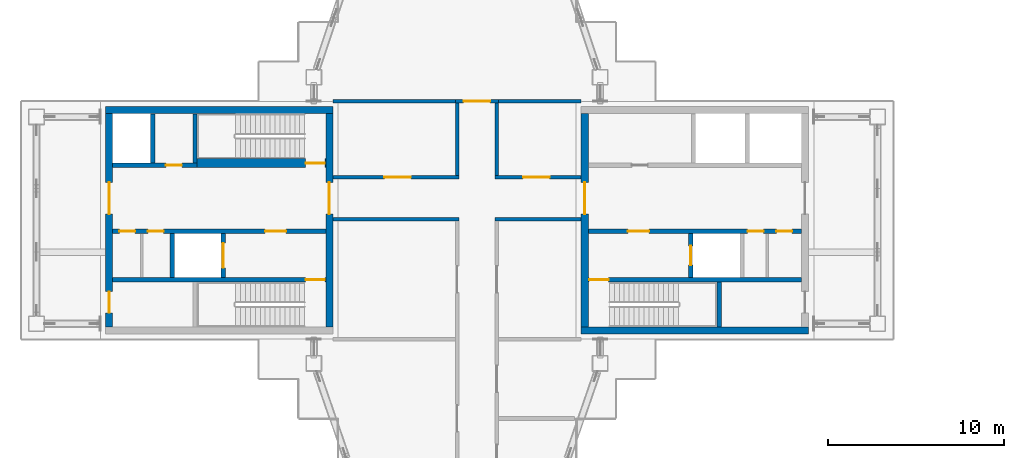
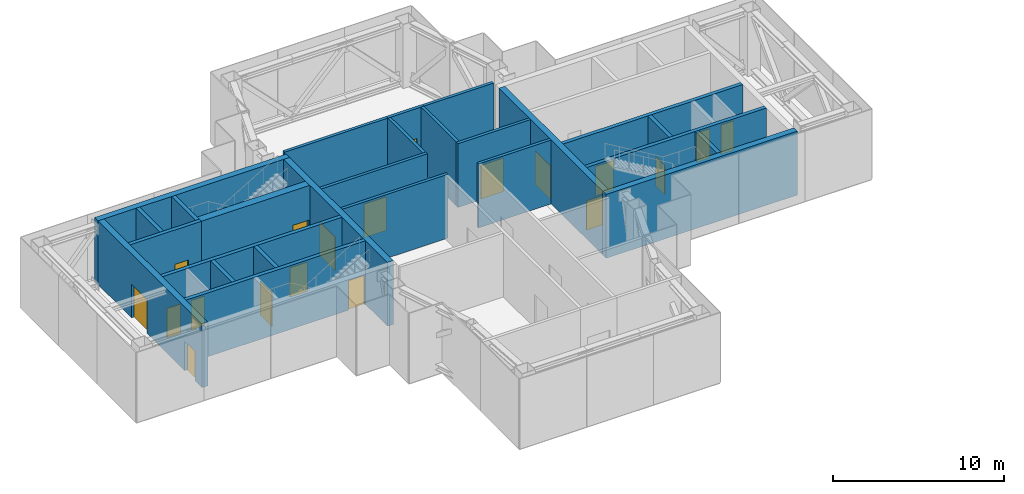
# One storey, part 7 of 18: 26 walls, 19 doors, 19 openings.
"""IFC4 building model written with IfcOpenShell, lengths in metres."""

from ifc_helpers import new_model, si_unit, direction, frame, frame_2d, origin, place, context, subcontext, project, spatial, rectangle, extrude, material, layer, layer_set, type_object, element, fill, save


model = new_model("IFC4")

# Units and contexts
model_context = context("Model", 3, precision=1e-05, world=origin(), true_north=direction((0.0, 1.0)))
body_context = subcontext(model_context, "Body", "Model", "MODEL_VIEW")
ifc_project = project(units=[si_unit("LENGTHUNIT", "METRE"), si_unit("AREAUNIT", "SQUARE_METRE"), si_unit("VOLUMEUNIT", "CUBIC_METRE"), si_unit("PLANEANGLEUNIT", "RADIAN"), si_unit("MASSUNIT", "GRAM", prefix="KILO")], contexts=[model_context])

# Site, building, storey
site_placement = place(None, origin())
site = spatial("IfcSite", under=ifc_project, at=site_placement, CompositionType="ELEMENT")
building_placement = place(site_placement, origin())
building = spatial("IfcBuilding", under=site, at=building_placement, Name="Shamsa Quay Exchange Towers", CompositionType="ELEMENT")
storey_placement = place(building_placement, frame((0.0, 0.0, 273.300048828125)))
storey = spatial("IfcBuildingStorey", under=building, at=storey_placement, Name="L66", CompositionType="ELEMENT", Elevation=273.300048828125)

# Wall
ifc_material_1 = material(Name="Concrete C60/75", Category="concrete")
ifc_layer_1 = layer(ifc_material_1, 0.39990234375)
ifc_layer_set_1 = layer_set([ifc_layer_1], Name="CORE WALL 400 C60/75")
wall_type_1 = type_object("IfcWallType", Name="CORE WALL 400 C60/75", PredefinedType="SHEAR", material=ifc_layer_set_1)
wall_1_placement = place(storey_placement, frame((-26.699951171875, -6.25, 0.0)))
element("IfcWall", 1, at=wall_1_placement, inside=storey, type_object=wall_type_1, Name="Core wall T1A-L66-PS", PredefinedType="SHEAR", context=body_context, shape_type="SweptSolid", body=[
    extrude(rectangle(XDim=12.89990234375, YDim=0.39990234375, at=frame_2d((6.449951171875, 0.0))), origin(), (0.0, 0.0, 1.0), 4.550048828125),
])

# Wall, opening, door
wall_2_placement = place(storey_placement, frame((-26.5, 6.050048828125, 0.0), z_axis=(0.0, 0.0, 1.0), x_axis=(0.0, -1.0, 0.0)))
wall_2 = element("IfcWall", 2, at=wall_2_placement, inside=storey, type_object=wall_type_1, Name="Core wall T1A-L66-PF", PredefinedType="SHEAR", context=body_context, shape_type="SweptSolid", body=[
    extrude(rectangle(XDim=12.10009765625, YDim=0.39990234375, at=frame_2d((6.050048828125, 0.0))), origin(), (0.0, 0.0, 1.0), 4.550048828125),
])
opening_1_placement = place(wall_2_placement, frame((3.89990234375, 0.0, 0.0)))
opening_1 = element("IfcOpeningElement", 3, at=opening_1_placement, cuts=wall_2, Name="Opening T1A-L66-LBD01", PredefinedType="OPENING", context=body_context, shape_type="SweptSolid", body=[
    extrude(rectangle(XDim=1.800048828125, YDim=2.39990234375, at=frame_2d((0.89990234375, 1.199951171875))), frame((0.0, 0.2099609375, 0.0), z_axis=(0.0, -1.0, 0.0), x_axis=(1.0, 0.0, 0.0)), (0.0, 0.0, 1.0), 0.419921875),
])
ifc_material_2 = material(Name="Steel, fire rated", Category="steel")
door_type_1 = type_object("IfcDoorType", Name="LIFT LOBBY DOOR PAIR 1800", OperationType="DOUBLE_DOOR_SINGLE_SWING", PredefinedType="DOOR", material=ifc_material_2)
door_1_placement = place(opening_1_placement, origin())
door_1 = element("IfcDoor", 4, at=door_1_placement, inside=storey, type_object=door_type_1, Name="T1A-L66-LBD01", OperationType="DOUBLE_DOOR_SINGLE_SWING", OverallHeight=2.39990234375, OverallWidth=1.800048828125, PredefinedType="DOOR", context=body_context, shape_type="SweptSolid", body=[
    extrude(rectangle(XDim=1.800048828125, YDim=2.39990234375, at=frame_2d((0.89990234375, 1.199951171875))), frame((0.0, 0.02490234375, 0.0), z_axis=(0.0, -1.0, 0.0), x_axis=(1.0, 0.0, 0.0)), (0.0, 0.0, 1.0), 0.050048828125),
])
fill(opening_1, door_1)

# Wall
wall_3_placement = place(storey_placement, frame((-40.800048828125, 6.25, 0.0), z_axis=(0.0, 0.0, 1.0), x_axis=(-1.0, 0.0, 0.0)))
element("IfcWall", 5, at=wall_3_placement, inside=storey, type_object=wall_type_1, Name="Core wall T1B-L66-PN", PredefinedType="SHEAR", context=body_context, shape_type="SweptSolid", body=[
    extrude(rectangle(XDim=12.89990234375, YDim=0.39990234375, at=frame_2d((6.449951171875, 0.0))), origin(), (0.0, 0.0, 1.0), 4.550048828125),
])

# Wall, opening, door
wall_4_placement = place(storey_placement, frame((-41.0, -6.050048828125, 0.0), z_axis=(0.0, 0.0, 1.0), x_axis=(0.0, 1.0, 0.0)))
wall_4 = element("IfcWall", 6, at=wall_4_placement, inside=storey, type_object=wall_type_1, Name="Core wall T1B-L66-PF", PredefinedType="SHEAR", context=body_context, shape_type="SweptSolid", body=[
    extrude(rectangle(XDim=12.10009765625, YDim=0.39990234375, at=frame_2d((6.050048828125, 0.0))), origin(), (0.0, 0.0, 1.0), 4.550048828125),
])
opening_2_placement = place(wall_4_placement, frame((6.39990234375, 0.0, 0.0)))
opening_2 = element("IfcOpeningElement", 7, at=opening_2_placement, cuts=wall_4, Name="Opening T1B-L66-LBD01", PredefinedType="OPENING", context=body_context, shape_type="SweptSolid", body=[
    extrude(rectangle(XDim=1.800048828125, YDim=2.39990234375, at=frame_2d((0.89990234375, 1.199951171875))), frame((0.0, 0.2099609375, 0.0), z_axis=(0.0, -1.0, 0.0), x_axis=(1.0, 0.0, 0.0)), (0.0, 0.0, 1.0), 0.419921875),
])
door_2_placement = place(opening_2_placement, origin())
door_2 = element("IfcDoor", 8, at=door_2_placement, inside=storey, type_object=door_type_1, Name="T1B-L66-LBD01", OperationType="DOUBLE_DOOR_SINGLE_SWING", OverallHeight=2.39990234375, OverallWidth=1.800048828125, PredefinedType="DOOR", context=body_context, shape_type="SweptSolid", body=[
    extrude(rectangle(XDim=1.800048828125, YDim=2.39990234375, at=frame_2d((0.89990234375, 1.199951171875))), frame((0.0, 0.02490234375, 0.0), z_axis=(0.0, -1.0, 0.0), x_axis=(1.0, 0.0, 0.0)), (0.0, 0.0, 1.0), 0.050048828125),
])
fill(opening_2, door_2)

# Wall, openings, doors
wall_5_placement = place(storey_placement, frame((-53.5, -6.050048828125, 0.0), z_axis=(0.0, 0.0, 1.0), x_axis=(0.0, 1.0, 0.0)))
wall_5 = element("IfcWall", 9, at=wall_5_placement, inside=storey, type_object=wall_type_1, Name="Core wall T1B-L66-PB", PredefinedType="SHEAR", context=body_context, shape_type="SweptSolid", body=[
    extrude(rectangle(XDim=12.10009765625, YDim=0.39990234375, at=frame_2d((6.050048828125, 0.0))), origin(), (0.0, 0.0, 1.0), 4.550048828125),
])
opening_3_placement = place(wall_5_placement, frame((0.800048828125, 0.0, 0.0)))
opening_3 = element("IfcOpeningElement", 10, at=opening_3_placement, cuts=wall_5, Name="Opening T1B-L66-RD02", PredefinedType="OPENING", context=body_context, shape_type="SweptSolid", body=[
    extrude(rectangle(XDim=1.199951171875, YDim=2.10009765625, at=frame_2d((0.60009765625, 1.050048828125))), frame((0.0, 0.2099609375, 0.0), z_axis=(0.0, -1.0, 0.0), x_axis=(1.0, 0.0, 0.0)), (0.0, 0.0, 1.0), 0.419921875),
])
opening_4_placement = place(wall_5_placement, frame((6.39990234375, 0.0, 0.0)))
opening_4 = element("IfcOpeningElement", 11, at=opening_4_placement, cuts=wall_5, Name="Opening T1B-L66-LBD03", PredefinedType="OPENING", context=body_context, shape_type="SweptSolid", body=[
    extrude(rectangle(XDim=1.800048828125, YDim=2.39990234375, at=frame_2d((0.89990234375, 1.199951171875))), frame((0.0, 0.2099609375, 0.0), z_axis=(0.0, -1.0, 0.0), x_axis=(1.0, 0.0, 0.0)), (0.0, 0.0, 1.0), 0.419921875),
])
door_3_placement = place(opening_4_placement, origin())
door_3 = element("IfcDoor", 12, at=door_3_placement, inside=storey, type_object=door_type_1, Name="T1B-L66-LBD03", OperationType="DOUBLE_DOOR_SINGLE_SWING", OverallHeight=2.39990234375, OverallWidth=1.800048828125, PredefinedType="DOOR", context=body_context, shape_type="SweptSolid", body=[
    extrude(rectangle(XDim=1.800048828125, YDim=2.39990234375, at=frame_2d((0.89990234375, 1.199951171875))), frame((0.0, 0.02490234375, 0.0), z_axis=(0.0, -1.0, 0.0), x_axis=(1.0, 0.0, 0.0)), (0.0, 0.0, 1.0), 0.050048828125),
])
fill(opening_4, door_3)
door_type_2 = type_object("IfcDoorType", Name="RISER ACCESS DOOR 1200", OperationType="SINGLE_SWING_LEFT", PredefinedType="DOOR", material=ifc_material_2)
door_4_placement = place(opening_3_placement, origin())
door_4 = element("IfcDoor", 13, at=door_4_placement, inside=storey, type_object=door_type_2, Name="T1B-L66-RD02", OperationType="SINGLE_SWING_LEFT", OverallHeight=2.10009765625, OverallWidth=1.199951171875, PredefinedType="DOOR", context=body_context, shape_type="SweptSolid", body=[
    extrude(rectangle(XDim=1.199951171875, YDim=2.10009765625, at=frame_2d((0.60009765625, 1.050048828125))), frame((0.0, 0.02490234375, 0.0), z_axis=(0.0, -1.0, 0.0), x_axis=(1.0, 0.0, 0.0)), (0.0, 0.0, 1.0), 0.050048828125),
])
fill(opening_3, door_4)

# Wall
ifc_material_3 = material(Name="Gypsum board partition on metal studs")
ifc_layer_2 = layer(ifc_material_3, 0.199951171875)
ifc_layer_set_2 = layer_set([ifc_layer_2], Name="Partition 200 mm EI 120")
wall_type_2 = type_object("IfcWallType", Name="Partition 200 mm EI 120", PredefinedType="PARTITIONING", material=ifc_layer_set_2)
wall_6_placement = place(storey_placement, frame((-31.5, 6.64990234375, 0.0), z_axis=(0.0, 0.0, 1.0), x_axis=(0.0, -1.0, 0.0)))
element("IfcWall", 14, at=wall_6_placement, inside=storey, type_object=wall_type_2, Name="Partition T1-L66-W01", PredefinedType="PARTITIONING", context=body_context, shape_type="SweptSolid", body=[
    extrude(rectangle(XDim=4.099609375, YDim=0.199951171875, at=frame_2d((2.0498046875, 0.0))), origin(), (0.0, 0.0, 1.0), 4.550048828125),
])

# Wall, opening, door
wall_7_placement = place(storey_placement, frame((-40.800048828125, 2.4501953125, 0.0)))
wall_7 = element("IfcWall", 15, at=wall_7_placement, inside=storey, type_object=wall_type_2, Name="Partition T1-L66-W03", PredefinedType="PARTITIONING", context=body_context, shape_type="SweptSolid", body=[
    extrude(rectangle(XDim=7.150146484375, YDim=0.199951171875, at=frame_2d((3.5751953125, 0.0))), origin(), (0.0, 0.0, 1.0), 4.550048828125),
])
opening_5_placement = place(wall_7_placement, frame((2.925048828125, 0.0, 0.0)))
opening_5 = element("IfcOpeningElement", 16, at=opening_5_placement, cuts=wall_7, Name="Opening T1-L66-D01", PredefinedType="OPENING", context=body_context, shape_type="SweptSolid", body=[
    extrude(rectangle(XDim=1.5, YDim=2.39990234375, at=frame_2d((0.75, 1.199951171875))), frame((0.0, 0.10986328125, 0.0), z_axis=(0.0, -1.0, 0.0), x_axis=(1.0, 0.0, 0.0)), (0.0, 0.0, 1.0), 0.219970703125),
])
ifc_material_4 = material(Name="Timber door leaf in a metal frame", Category="wood")
door_type_3 = type_object("IfcDoorType", Name="Door 1500x2400 FD60 pair", OperationType="NOTDEFINED", PredefinedType="DOOR", material=ifc_material_4)
door_5_placement = place(opening_5_placement, origin())
door_5 = element("IfcDoor", 17, at=door_5_placement, inside=storey, type_object=door_type_3, Name="Door T1-L66-D01", OperationType="DOUBLE_DOOR_SINGLE_SWING", OverallHeight=2.39990234375, OverallWidth=1.5, PredefinedType="DOOR", context=body_context, shape_type="SweptSolid", body=[
    extrude(rectangle(XDim=1.5, YDim=2.39990234375, at=frame_2d((0.75, 1.199951171875))), frame((0.0, 0.02490234375, 0.0), z_axis=(0.0, -1.0, 0.0), x_axis=(1.0, 0.0, 0.0)), (0.0, 0.0, 1.0), 0.050048828125),
])
fill(opening_5, door_5)

wall_8_placement = place(storey_placement, frame((-31.60009765625, 2.4501953125, 0.0)))
wall_8 = element("IfcWall", 18, at=wall_8_placement, inside=storey, type_object=wall_type_2, Name="Partition T1-L66-W04", PredefinedType="PARTITIONING", context=body_context, shape_type="SweptSolid", body=[
    extrude(rectangle(XDim=4.900146484375, YDim=0.199951171875, at=frame_2d((2.4501953125, 0.0))), origin(), (0.0, 0.0, 1.0), 4.550048828125),
])
opening_6_placement = place(wall_8_placement, frame((1.60009765625, 0.0, 0.0)))
opening_6 = element("IfcOpeningElement", 19, at=opening_6_placement, cuts=wall_8, Name="Opening T1-L66-D09", PredefinedType="OPENING", context=body_context, shape_type="SweptSolid", body=[
    extrude(rectangle(XDim=1.5, YDim=2.39990234375, at=frame_2d((0.75, 1.199951171875))), frame((0.0, 0.10986328125, 0.0), z_axis=(0.0, -1.0, 0.0), x_axis=(1.0, 0.0, 0.0)), (0.0, 0.0, 1.0), 0.219970703125),
])
door_6_placement = place(opening_6_placement, origin())
door_6 = element("IfcDoor", 20, at=door_6_placement, inside=storey, type_object=door_type_3, Name="Door T1-L66-D09", OperationType="DOUBLE_DOOR_SINGLE_SWING", OverallHeight=2.39990234375, OverallWidth=1.5, PredefinedType="DOOR", context=body_context, shape_type="SweptSolid", body=[
    extrude(rectangle(XDim=1.5, YDim=2.39990234375, at=frame_2d((0.75, 1.199951171875))), frame((0.0, 0.02490234375, 0.0), z_axis=(0.0, -1.0, 0.0), x_axis=(1.0, 0.0, 0.0)), (0.0, 0.0, 1.0), 0.050048828125),
])
fill(opening_6, door_6)

# Walls
wall_9_placement = place(storey_placement, frame((-26.699951171875, 0.0498046875, 0.0), z_axis=(0.0, 0.0, 1.0), x_axis=(-1.0, 0.0, 0.0)))
element("IfcWall", 21, at=wall_9_placement, inside=storey, type_object=wall_type_2, Name="Partition T1-L66-W05", PredefinedType="PARTITIONING", context=body_context, shape_type="SweptSolid", body=[
    extrude(rectangle(XDim=4.900146484375, YDim=0.199951171875, at=frame_2d((2.4501953125, 0.0))), origin(), (0.0, 0.0, 1.0), 4.550048828125),
])
wall_10_placement = place(storey_placement, frame((-33.64990234375, 0.0498046875, 0.0), z_axis=(0.0, 0.0, 1.0), x_axis=(-1.0, 0.0, 0.0)))
element("IfcWall", 22, at=wall_10_placement, inside=storey, type_object=wall_type_2, Name="Partition T1-L66-W06", PredefinedType="PARTITIONING", context=body_context, shape_type="SweptSolid", body=[
    extrude(rectangle(XDim=7.150146484375, YDim=0.199951171875, at=frame_2d((3.5751953125, 0.0))), origin(), (0.0, 0.0, 1.0), 4.550048828125),
])
wall_11_placement = place(storey_placement, frame((-33.75, 2.55029296875, 0.0), z_axis=(0.0, 0.0, 1.0), x_axis=(0.0, 1.0, 0.0)))
element("IfcWall", 23, at=wall_11_placement, inside=storey, type_object=wall_type_2, Name="Partition T1-L66-W08", PredefinedType="PARTITIONING", context=body_context, shape_type="SweptSolid", body=[
    extrude(rectangle(XDim=4.099609375, YDim=0.199951171875, at=frame_2d((2.0498046875, 0.0))), origin(), (0.0, 0.0, 1.0), 4.550048828125),
])

# Wall, opening, door
wall_12_placement = place(storey_placement, frame((-33.85009765625, 6.75, 0.0)))
wall_12 = element("IfcWall", 24, at=wall_12_placement, inside=storey, type_object=wall_type_2, Name="Partition T1-L66-W09", PredefinedType="PARTITIONING", context=body_context, shape_type="SweptSolid", body=[
    extrude(rectangle(XDim=2.4501953125, YDim=0.199951171875, at=frame_2d((1.22509765625, 0.0))), origin(), (0.0, 0.0, 1.0), 4.550048828125),
])
opening_7_placement = place(wall_12_placement, frame((0.47509765625, 0.0, 0.0)))
opening_7 = element("IfcOpeningElement", 25, at=opening_7_placement, cuts=wall_12, Name="Opening T1-L66-D04", PredefinedType="OPENING", context=body_context, shape_type="SweptSolid", body=[
    extrude(rectangle(XDim=1.5, YDim=2.39990234375, at=frame_2d((0.75, 1.199951171875))), frame((0.0, 0.10986328125, 0.0), z_axis=(0.0, -1.0, 0.0), x_axis=(1.0, 0.0, 0.0)), (0.0, 0.0, 1.0), 0.219970703125),
])
door_7_placement = place(opening_7_placement, origin())
door_7 = element("IfcDoor", 26, at=door_7_placement, inside=storey, type_object=door_type_3, Name="Door T1-L66-D04", OperationType="DOUBLE_DOOR_SINGLE_SWING", OverallHeight=2.39990234375, OverallWidth=1.5, PredefinedType="DOOR", context=body_context, shape_type="SweptSolid", body=[
    extrude(rectangle(XDim=1.5, YDim=2.39990234375, at=frame_2d((0.75, 1.199951171875))), frame((0.0, 0.02490234375, 0.0), z_axis=(0.0, -1.0, 0.0), x_axis=(1.0, 0.0, 0.0)), (0.0, 0.0, 1.0), 0.050048828125),
])
fill(opening_7, door_7)

# Walls
wall_13_placement = place(storey_placement, frame((-26.699951171875, 6.75, 0.0), z_axis=(0.0, 0.0, 1.0), x_axis=(-1.0, 0.0, 0.0)))
element("IfcWall", 27, at=wall_13_placement, inside=storey, type_object=wall_type_2, Name="Partition T1-L66-W11", PredefinedType="PARTITIONING", context=body_context, shape_type="SweptSolid", body=[
    extrude(rectangle(XDim=4.900146484375, YDim=0.199951171875, at=frame_2d((2.4501953125, 0.0))), origin(), (0.0, 0.0, 1.0), 4.550048828125),
])
wall_14_placement = place(storey_placement, frame((-33.64990234375, 6.75, 0.0), z_axis=(0.0, 0.0, 1.0), x_axis=(-1.0, 0.0, 0.0)))
element("IfcWall", 28, at=wall_14_placement, inside=storey, type_object=wall_type_2, Name="Partition T1-L66-W12", PredefinedType="PARTITIONING", context=body_context, shape_type="SweptSolid", body=[
    extrude(rectangle(XDim=7.150146484375, YDim=0.199951171875, at=frame_2d((3.5751953125, 0.0))), origin(), (0.0, 0.0, 1.0), 4.550048828125),
])

# Wall, opening, door
ifc_material_5 = material(Name="Concrete C50/60", Category="concrete")
ifc_layer_3 = layer(ifc_material_5, 0.25)
ifc_layer_set_3 = layer_set([ifc_layer_3], Name="SHAFT WALL 250 C50/60")
wall_type_3 = type_object("IfcWallType", Name="SHAFT WALL 250 C50/60", PredefinedType="SHEAR", material=ifc_layer_set_3)
wall_15_placement = place(storey_placement, frame((-14.199951171875, -3.375, 0.0), z_axis=(0.0, 0.0, 1.0), x_axis=(-1.0, 0.0, 0.0)))
wall_15 = element("IfcWall", 29, at=wall_15_placement, inside=storey, type_object=wall_type_3, Name="Shaft wall T1A-L66-STL", PredefinedType="SHEAR", context=body_context, shape_type="SweptSolid", body=[
    extrude(rectangle(XDim=12.10009765625, YDim=0.25, at=frame_2d((6.050048828125, 0.0))), origin(), (0.0, 0.0, 1.0), 4.550048828125),
])
opening_8_placement = place(wall_15_placement, frame((10.949951171875, 0.0, 0.0)))
opening_8 = element("IfcOpeningElement", 30, at=opening_8_placement, cuts=wall_15, Name="Opening T1A-L66-SD04", PredefinedType="OPENING", context=body_context, shape_type="SweptSolid", body=[
    extrude(rectangle(XDim=1.10009765625, YDim=2.10009765625, at=frame_2d((0.550048828125, 1.050048828125))), frame((0.0, 0.135009765625, 0.0), z_axis=(0.0, -1.0, 0.0), x_axis=(1.0, 0.0, 0.0)), (0.0, 0.0, 1.0), 0.27001953125),
])
door_type_4 = type_object("IfcDoorType", Name="STAIR DOOR 1100", OperationType="SINGLE_SWING_LEFT", PredefinedType="DOOR", material=ifc_material_2)
door_8_placement = place(opening_8_placement, origin())
door_8 = element("IfcDoor", 31, at=door_8_placement, inside=storey, type_object=door_type_4, Name="T1A-L66-SD04", OperationType="SINGLE_SWING_RIGHT", OverallHeight=2.10009765625, OverallWidth=1.10009765625, PredefinedType="DOOR", context=body_context, shape_type="SweptSolid", body=[
    extrude(rectangle(XDim=1.10009765625, YDim=2.10009765625, at=frame_2d((0.550048828125, 1.050048828125))), frame((0.0, 0.02490234375, 0.0), z_axis=(0.0, -1.0, 0.0), x_axis=(1.0, 0.0, 0.0)), (0.0, 0.0, 1.0), 0.050048828125),
])
fill(opening_8, door_8)

# Wall
wall_16_placement = place(storey_placement, frame((-18.875, -6.050048828125, 0.0), z_axis=(0.0, 0.0, 1.0), x_axis=(0.0, 1.0, 0.0)))
element("IfcWall", 32, at=wall_16_placement, inside=storey, type_object=wall_type_3, Name="Shaft wall T1A-L66-STF", PredefinedType="SHEAR", context=body_context, shape_type="SweptSolid", body=[
    extrude(rectangle(XDim=2.550048828125, YDim=0.25, at=frame_2d((1.27490234375, 0.0))), origin(), (0.0, 0.0, 1.0), 4.550048828125),
])

# Wall, openings, doors
wall_17_placement = place(storey_placement, frame((-14.199951171875, -0.625, 0.0), z_axis=(0.0, 0.0, 1.0), x_axis=(-1.0, 0.0, 0.0)))
wall_17 = element("IfcWall", 33, at=wall_17_placement, inside=storey, type_object=wall_type_3, Name="Shaft wall T1A-L66-B", PredefinedType="SHEAR", context=body_context, shape_type="SweptSolid", body=[
    extrude(rectangle(XDim=12.10009765625, YDim=0.25, at=frame_2d((6.050048828125, 0.0))), origin(), (0.0, 0.0, 1.0), 4.550048828125),
])
opening_9_placement = place(wall_17_placement, frame((8.64990234375, 0.0, 0.0)))
opening_9 = element("IfcOpeningElement", 34, at=opening_9_placement, cuts=wall_17, Name="Opening T1A-L66-FD05", PredefinedType="OPENING", context=body_context, shape_type="SweptSolid", body=[
    extrude(rectangle(XDim=1.199951171875, YDim=2.10009765625, at=frame_2d((0.60009765625, 1.050048828125))), frame((0.0, 0.135009765625, 0.0), z_axis=(0.0, -1.0, 0.0), x_axis=(1.0, 0.0, 0.0)), (0.0, 0.0, 1.0), 0.27001953125),
])
opening_10_placement = place(wall_17_placement, frame((2.14990234375, 0.0, 0.0)))
opening_10 = element("IfcOpeningElement", 35, at=opening_10_placement, cuts=wall_17, Name="Opening T1A-L66-SV06", PredefinedType="OPENING", context=body_context, shape_type="SweptSolid", body=[
    extrude(rectangle(XDim=0.89990234375, YDim=2.10009765625, at=frame_2d((0.449951171875, 1.050048828125))), frame((0.0, 0.135009765625, 0.0), z_axis=(0.0, -1.0, 0.0), x_axis=(1.0, 0.0, 0.0)), (0.0, 0.0, 1.0), 0.27001953125),
])
opening_11_placement = place(wall_17_placement, frame((0.52490234375, 0.0, 0.0)))
opening_11 = element("IfcOpeningElement", 36, at=opening_11_placement, cuts=wall_17, Name="Opening T1A-L66-SV07", PredefinedType="OPENING", context=body_context, shape_type="SweptSolid", body=[
    extrude(rectangle(XDim=0.89990234375, YDim=2.10009765625, at=frame_2d((0.449951171875, 1.050048828125))), frame((0.0, 0.135009765625, 0.0), z_axis=(0.0, -1.0, 0.0), x_axis=(1.0, 0.0, 0.0)), (0.0, 0.0, 1.0), 0.27001953125),
])
door_type_5 = type_object("IfcDoorType", Name="FIRE SERVICE LOBBY DOOR 1200", OperationType="SINGLE_SWING_LEFT", PredefinedType="DOOR", material=ifc_material_2)
door_9_placement = place(opening_9_placement, origin())
door_9 = element("IfcDoor", 37, at=door_9_placement, inside=storey, type_object=door_type_5, Name="T1A-L66-FD05", OperationType="SINGLE_SWING_RIGHT", OverallHeight=2.10009765625, OverallWidth=1.199951171875, PredefinedType="DOOR", context=body_context, shape_type="SweptSolid", body=[
    extrude(rectangle(XDim=1.199951171875, YDim=2.10009765625, at=frame_2d((0.60009765625, 1.050048828125))), frame((0.0, 0.02490234375, 0.0), z_axis=(0.0, -1.0, 0.0), x_axis=(1.0, 0.0, 0.0)), (0.0, 0.0, 1.0), 0.050048828125),
])
fill(opening_9, door_9)
door_type_6 = type_object("IfcDoorType", Name="SERVICE ROOM DOOR 900", OperationType="SINGLE_SWING_LEFT", PredefinedType="DOOR", material=ifc_material_2)
door_10_placement = place(opening_10_placement, origin())
door_10 = element("IfcDoor", 38, at=door_10_placement, inside=storey, type_object=door_type_6, Name="T1A-L66-SV06", OperationType="SINGLE_SWING_LEFT", OverallHeight=2.10009765625, OverallWidth=0.89990234375, PredefinedType="DOOR", context=body_context, shape_type="SweptSolid", body=[
    extrude(rectangle(XDim=0.89990234375, YDim=2.10009765625, at=frame_2d((0.449951171875, 1.050048828125))), frame((0.0, 0.02490234375, 0.0), z_axis=(0.0, -1.0, 0.0), x_axis=(1.0, 0.0, 0.0)), (0.0, 0.0, 1.0), 0.050048828125),
])
fill(opening_10, door_10)
door_11_placement = place(opening_11_placement, origin())
door_11 = element("IfcDoor", 39, at=door_11_placement, inside=storey, type_object=door_type_6, Name="T1A-L66-SV07", OperationType="SINGLE_SWING_LEFT", OverallHeight=2.10009765625, OverallWidth=0.89990234375, PredefinedType="DOOR", context=body_context, shape_type="SweptSolid", body=[
    extrude(rectangle(XDim=0.89990234375, YDim=2.10009765625, at=frame_2d((0.449951171875, 1.050048828125))), frame((0.0, 0.02490234375, 0.0), z_axis=(0.0, -1.0, 0.0), x_axis=(1.0, 0.0, 0.0)), (0.0, 0.0, 1.0), 0.050048828125),
])
fill(opening_11, door_11)

# Wall, opening, door
wall_18_placement = place(storey_placement, frame((-20.47509765625, -3.25, 0.0), z_axis=(0.0, 0.0, 1.0), x_axis=(0.0, 1.0, 0.0)))
wall_18 = element("IfcWall", 40, at=wall_18_placement, inside=storey, type_object=wall_type_3, Name="Shaft wall T1A-L66-FFF", PredefinedType="SHEAR", context=body_context, shape_type="SweptSolid", body=[
    extrude(rectangle(XDim=2.5, YDim=0.25, at=frame_2d((1.25, 0.0))), origin(), (0.0, 0.0, 1.0), 4.550048828125),
])
opening_12_placement = place(wall_18_placement, frame((0.699951171875, 0.0, 0.0)))
opening_12 = element("IfcOpeningElement", 41, at=opening_12_placement, cuts=wall_18, Name="Opening T1A-L66-LDF08", PredefinedType="OPENING", context=body_context, shape_type="SweptSolid", body=[
    extrude(rectangle(XDim=1.10009765625, YDim=2.10009765625, at=frame_2d((0.550048828125, 1.050048828125))), frame((0.0, 0.135009765625, 0.0), z_axis=(0.0, -1.0, 0.0), x_axis=(1.0, 0.0, 0.0)), (0.0, 0.0, 1.0), 0.27001953125),
])
door_type_7 = type_object("IfcDoorType", Name="FIRE SERVICE LANDING DOOR 1100", OperationType="SLIDING_TO_LEFT", PredefinedType="DOOR", material=ifc_material_2)
door_12_placement = place(opening_12_placement, origin())
door_12 = element("IfcDoor", 42, at=door_12_placement, inside=storey, type_object=door_type_7, Name="T1A-L66-LDF08", OperationType="SLIDING_TO_LEFT", OverallHeight=2.10009765625, OverallWidth=1.10009765625, PredefinedType="DOOR", context=body_context, shape_type="SweptSolid", body=[
    extrude(rectangle(XDim=1.10009765625, YDim=2.10009765625, at=frame_2d((0.550048828125, 1.050048828125))), frame((0.0, 0.02490234375, 0.0), z_axis=(0.0, -1.0, 0.0), x_axis=(1.0, 0.0, 0.0)), (0.0, 0.0, 1.0), 0.050048828125),
])
fill(opening_12, door_12)

wall_19_placement = place(storey_placement, frame((-41.199951171875, -3.375, 0.0), z_axis=(0.0, 0.0, 1.0), x_axis=(-1.0, 0.0, 0.0)))
wall_19 = element("IfcWall", 43, at=wall_19_placement, inside=storey, type_object=wall_type_3, Name="Shaft wall T1B-L66-STL", PredefinedType="SHEAR", context=body_context, shape_type="SweptSolid", body=[
    extrude(rectangle(XDim=12.10009765625, YDim=0.25, at=frame_2d((6.050048828125, 0.0))), origin(), (0.0, 0.0, 1.0), 4.550048828125),
])
opening_13_placement = place(wall_19_placement, frame((0.050048828125, 0.0, 0.0)))
opening_13 = element("IfcOpeningElement", 44, at=opening_13_placement, cuts=wall_19, Name="Opening T1B-L66-SD04", PredefinedType="OPENING", context=body_context, shape_type="SweptSolid", body=[
    extrude(rectangle(XDim=1.10009765625, YDim=2.10009765625, at=frame_2d((0.550048828125, 1.050048828125))), frame((0.0, 0.135009765625, 0.0), z_axis=(0.0, -1.0, 0.0), x_axis=(1.0, 0.0, 0.0)), (0.0, 0.0, 1.0), 0.27001953125),
])
door_13_placement = place(opening_13_placement, origin())
door_13 = element("IfcDoor", 45, at=door_13_placement, inside=storey, type_object=door_type_4, Name="T1B-L66-SD04", OperationType="SINGLE_SWING_LEFT", OverallHeight=2.10009765625, OverallWidth=1.10009765625, PredefinedType="DOOR", context=body_context, shape_type="SweptSolid", body=[
    extrude(rectangle(XDim=1.10009765625, YDim=2.10009765625, at=frame_2d((0.550048828125, 1.050048828125))), frame((0.0, 0.02490234375, 0.0), z_axis=(0.0, -1.0, 0.0), x_axis=(1.0, 0.0, 0.0)), (0.0, 0.0, 1.0), 0.050048828125),
])
fill(opening_13, door_13)

# Wall, openings, doors
wall_20_placement = place(storey_placement, frame((-41.199951171875, -0.625, 0.0), z_axis=(0.0, 0.0, 1.0), x_axis=(-1.0, 0.0, 0.0)))
wall_20 = element("IfcWall", 46, at=wall_20_placement, inside=storey, type_object=wall_type_3, Name="Shaft wall T1B-L66-B", PredefinedType="SHEAR", context=body_context, shape_type="SweptSolid", body=[
    extrude(rectangle(XDim=12.10009765625, YDim=0.25, at=frame_2d((6.050048828125, 0.0))), origin(), (0.0, 0.0, 1.0), 4.550048828125),
])
opening_14_placement = place(wall_20_placement, frame((2.25, 0.0, 0.0)))
opening_14 = element("IfcOpeningElement", 47, at=opening_14_placement, cuts=wall_20, Name="Opening T1B-L66-FD05", PredefinedType="OPENING", context=body_context, shape_type="SweptSolid", body=[
    extrude(rectangle(XDim=1.199951171875, YDim=2.10009765625, at=frame_2d((0.60009765625, 1.050048828125))), frame((0.0, 0.135009765625, 0.0), z_axis=(0.0, -1.0, 0.0), x_axis=(1.0, 0.0, 0.0)), (0.0, 0.0, 1.0), 0.27001953125),
])
opening_15_placement = place(wall_20_placement, frame((9.199951171875, 0.0, 0.0)))
opening_15 = element("IfcOpeningElement", 48, at=opening_15_placement, cuts=wall_20, Name="Opening T1B-L66-SV06", PredefinedType="OPENING", context=body_context, shape_type="SweptSolid", body=[
    extrude(rectangle(XDim=0.89990234375, YDim=2.10009765625, at=frame_2d((0.449951171875, 1.050048828125))), frame((0.0, 0.135009765625, 0.0), z_axis=(0.0, -1.0, 0.0), x_axis=(1.0, 0.0, 0.0)), (0.0, 0.0, 1.0), 0.27001953125),
])
opening_16_placement = place(wall_20_placement, frame((10.824951171875, 0.0, 0.0)))
opening_16 = element("IfcOpeningElement", 49, at=opening_16_placement, cuts=wall_20, Name="Opening T1B-L66-SV07", PredefinedType="OPENING", context=body_context, shape_type="SweptSolid", body=[
    extrude(rectangle(XDim=0.89990234375, YDim=2.10009765625, at=frame_2d((0.449951171875, 1.050048828125))), frame((0.0, 0.135009765625, 0.0), z_axis=(0.0, -1.0, 0.0), x_axis=(1.0, 0.0, 0.0)), (0.0, 0.0, 1.0), 0.27001953125),
])
door_14_placement = place(opening_14_placement, origin())
door_14 = element("IfcDoor", 50, at=door_14_placement, inside=storey, type_object=door_type_5, Name="T1B-L66-FD05", OperationType="SINGLE_SWING_LEFT", OverallHeight=2.10009765625, OverallWidth=1.199951171875, PredefinedType="DOOR", context=body_context, shape_type="SweptSolid", body=[
    extrude(rectangle(XDim=1.199951171875, YDim=2.10009765625, at=frame_2d((0.60009765625, 1.050048828125))), frame((0.0, 0.02490234375, 0.0), z_axis=(0.0, -1.0, 0.0), x_axis=(1.0, 0.0, 0.0)), (0.0, 0.0, 1.0), 0.050048828125),
])
fill(opening_14, door_14)
door_15_placement = place(opening_15_placement, origin())
door_15 = element("IfcDoor", 51, at=door_15_placement, inside=storey, type_object=door_type_6, Name="T1B-L66-SV06", OperationType="SINGLE_SWING_RIGHT", OverallHeight=2.10009765625, OverallWidth=0.89990234375, PredefinedType="DOOR", context=body_context, shape_type="SweptSolid", body=[
    extrude(rectangle(XDim=0.89990234375, YDim=2.10009765625, at=frame_2d((0.449951171875, 1.050048828125))), frame((0.0, 0.02490234375, 0.0), z_axis=(0.0, -1.0, 0.0), x_axis=(1.0, 0.0, 0.0)), (0.0, 0.0, 1.0), 0.050048828125),
])
fill(opening_15, door_15)
door_16_placement = place(opening_16_placement, origin())
door_16 = element("IfcDoor", 52, at=door_16_placement, inside=storey, type_object=door_type_6, Name="T1B-L66-SV07", OperationType="SINGLE_SWING_RIGHT", OverallHeight=2.10009765625, OverallWidth=0.89990234375, PredefinedType="DOOR", context=body_context, shape_type="SweptSolid", body=[
    extrude(rectangle(XDim=0.89990234375, YDim=2.10009765625, at=frame_2d((0.449951171875, 1.050048828125))), frame((0.0, 0.02490234375, 0.0), z_axis=(0.0, -1.0, 0.0), x_axis=(1.0, 0.0, 0.0)), (0.0, 0.0, 1.0), 0.050048828125),
])
fill(opening_16, door_16)

# Wall, opening, door
wall_21_placement = place(storey_placement, frame((-47.02490234375, -3.25, 0.0), z_axis=(0.0, 0.0, 1.0), x_axis=(0.0, 1.0, 0.0)))
wall_21 = element("IfcWall", 53, at=wall_21_placement, inside=storey, type_object=wall_type_3, Name="Shaft wall T1B-L66-FFF", PredefinedType="SHEAR", context=body_context, shape_type="SweptSolid", body=[
    extrude(rectangle(XDim=2.5, YDim=0.25, at=frame_2d((1.25, 0.0))), origin(), (0.0, 0.0, 1.0), 4.550048828125),
])
opening_17_placement = place(wall_21_placement, frame((0.550048828125, 0.0, 0.0)))
opening_17 = element("IfcOpeningElement", 54, at=opening_17_placement, cuts=wall_21, Name="Opening T1B-L66-LDG08", PredefinedType="OPENING", context=body_context, shape_type="SweptSolid", body=[
    extrude(rectangle(XDim=1.39990234375, YDim=2.39990234375, at=frame_2d((0.699951171875, 1.199951171875))), frame((0.0, 0.135009765625, 0.0), z_axis=(0.0, -1.0, 0.0), x_axis=(1.0, 0.0, 0.0)), (0.0, 0.0, 1.0), 0.27001953125),
])
door_type_8 = type_object("IfcDoorType", Name="GOODS LIFT LANDING DOOR 1400", OperationType="SLIDING_TO_LEFT", PredefinedType="DOOR", material=ifc_material_2)
door_17_placement = place(opening_17_placement, origin())
door_17 = element("IfcDoor", 55, at=door_17_placement, inside=storey, type_object=door_type_8, Name="T1B-L66-LDG08", OperationType="SLIDING_TO_LEFT", OverallHeight=2.39990234375, OverallWidth=1.39990234375, PredefinedType="DOOR", context=body_context, shape_type="SweptSolid", body=[
    extrude(rectangle(XDim=1.39990234375, YDim=2.39990234375, at=frame_2d((0.699951171875, 1.199951171875))), frame((0.0, 0.02490234375, 0.0), z_axis=(0.0, -1.0, 0.0), x_axis=(1.0, 0.0, 0.0)), (0.0, 0.0, 1.0), 0.050048828125),
])
fill(opening_17, door_17)

# Wall
wall_22_placement = place(storey_placement, frame((-49.925048828125, -3.25, 0.0), z_axis=(0.0, 0.0, 1.0), x_axis=(0.0, 1.0, 0.0)))
element("IfcWall", 56, at=wall_22_placement, inside=storey, type_object=wall_type_3, Name="Shaft wall T1B-L66-FFB", PredefinedType="SHEAR", context=body_context, shape_type="SweptSolid", body=[
    extrude(rectangle(XDim=2.5, YDim=0.25, at=frame_2d((1.25, 0.0))), origin(), (0.0, 0.0, 1.0), 4.550048828125),
])

# Wall, opening, door
wall_23_placement = place(storey_placement, frame((-53.300048828125, 3.125, 0.0)))
wall_23 = element("IfcWall", 57, at=wall_23_placement, inside=storey, type_object=wall_type_3, Name="Shaft wall T1B-L66-N2", PredefinedType="SHEAR", context=body_context, shape_type="SweptSolid", body=[
    extrude(rectangle(XDim=4.800048828125, YDim=0.25, at=frame_2d((2.39990234375, 0.0))), origin(), (0.0, 0.0, 1.0), 4.550048828125),
])
opening_18_placement = place(wall_23_placement, frame((3.02490234375, 0.0, 0.0)))
opening_18 = element("IfcOpeningElement", 58, at=opening_18_placement, cuts=wall_23, Name="Opening T1B-L66-SV10", PredefinedType="OPENING", context=body_context, shape_type="SweptSolid", body=[
    extrude(rectangle(XDim=0.89990234375, YDim=2.10009765625, at=frame_2d((0.449951171875, 1.050048828125))), frame((0.0, 0.135009765625, 0.0), z_axis=(0.0, -1.0, 0.0), x_axis=(1.0, 0.0, 0.0)), (0.0, 0.0, 1.0), 0.27001953125),
])
door_18_placement = place(opening_18_placement, origin())
door_18 = element("IfcDoor", 59, at=door_18_placement, inside=storey, type_object=door_type_6, Name="T1B-L66-SV10", OperationType="SINGLE_SWING_RIGHT", OverallHeight=2.10009765625, OverallWidth=0.89990234375, PredefinedType="DOOR", context=body_context, shape_type="SweptSolid", body=[
    extrude(rectangle(XDim=0.89990234375, YDim=2.10009765625, at=frame_2d((0.449951171875, 1.050048828125))), frame((0.0, 0.02490234375, 0.0), z_axis=(0.0, -1.0, 0.0), x_axis=(1.0, 0.0, 0.0)), (0.0, 0.0, 1.0), 0.050048828125),
])
fill(opening_18, door_18)

# Walls
for number, where, z_axis, x_axis, name in (
    (60, (-48.625, 3.25, 0.0), (0.0, 0.0, 1.0), (0.0, 1.0, 0.0), "Shaft wall T1B-L66-STF2"),
    (61, (-51.02490234375, 3.25, 0.0), (0.0, 0.0, 1.0), (0.0, 1.0, 0.0), "Shaft wall T1B-L66-D0"),
):
    element("IfcWall", number, at=place(storey_placement, frame(where, z_axis=z_axis, x_axis=x_axis)), inside=storey, type_object=wall_type_3, Name=name, PredefinedType="SHEAR", context=body_context, shape_type="SweptSolid", body=[
        extrude(rectangle(XDim=2.800048828125, YDim=0.25, at=frame_2d((1.39990234375, 0.0))), origin(), (0.0, 0.0, 1.0), 4.550048828125),
    ])

# Wall, opening, door
ifc_layer_4 = layer(ifc_material_5, 0.5)
ifc_layer_set_4 = layer_set([ifc_layer_4], Name="SHAFT WALL 500 C50/60")
wall_type_4 = type_object("IfcWallType", Name="SHAFT WALL 500 C50/60", PredefinedType="SHEAR", material=ifc_layer_set_4)
wall_24_placement = place(storey_placement, frame((-48.5, 3.25, 0.0)))
wall_24 = element("IfcWall", 62, at=wall_24_placement, inside=storey, type_object=wall_type_4, Name="Shaft wall T1B-L66-N", PredefinedType="SHEAR", context=body_context, shape_type="SweptSolid", body=[
    extrude(rectangle(XDim=7.300048828125, YDim=0.5, at=frame_2d((3.64990234375, 0.0))), origin(), (0.0, 0.0, 1.0), 4.550048828125),
])
opening_19_placement = place(wall_24_placement, frame((6.14990234375, 0.0, 0.0)))
opening_19 = element("IfcOpeningElement", 63, at=opening_19_placement, cuts=wall_24, Name="Opening T1B-L66-SD09", PredefinedType="OPENING", context=body_context, shape_type="SweptSolid", body=[
    extrude(rectangle(XDim=1.10009765625, YDim=2.10009765625, at=frame_2d((0.550048828125, 1.050048828125))), frame((0.0, 0.260009765625, 0.0), z_axis=(0.0, -1.0, 0.0), x_axis=(1.0, 0.0, 0.0)), (0.0, 0.0, 1.0), 0.52001953125),
])
door_19_placement = place(opening_19_placement, origin())
door_19 = element("IfcDoor", 64, at=door_19_placement, inside=storey, type_object=door_type_4, Name="T1B-L66-SD09", OperationType="SINGLE_SWING_RIGHT", OverallHeight=2.10009765625, OverallWidth=1.10009765625, PredefinedType="DOOR", context=body_context, shape_type="SweptSolid", body=[
    extrude(rectangle(XDim=1.10009765625, YDim=2.10009765625, at=frame_2d((0.550048828125, 1.050048828125))), frame((0.0, 0.02490234375, 0.0), z_axis=(0.0, -1.0, 0.0), x_axis=(1.0, 0.0, 0.0)), (0.0, 0.0, 1.0), 0.050048828125),
])
fill(opening_19, door_19)

save(model, "model.ifc")
